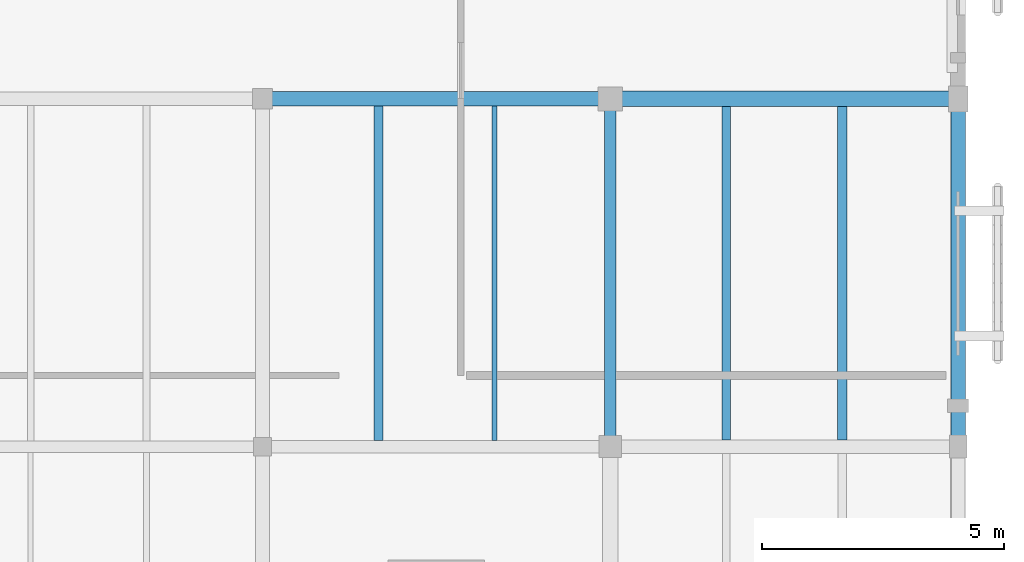
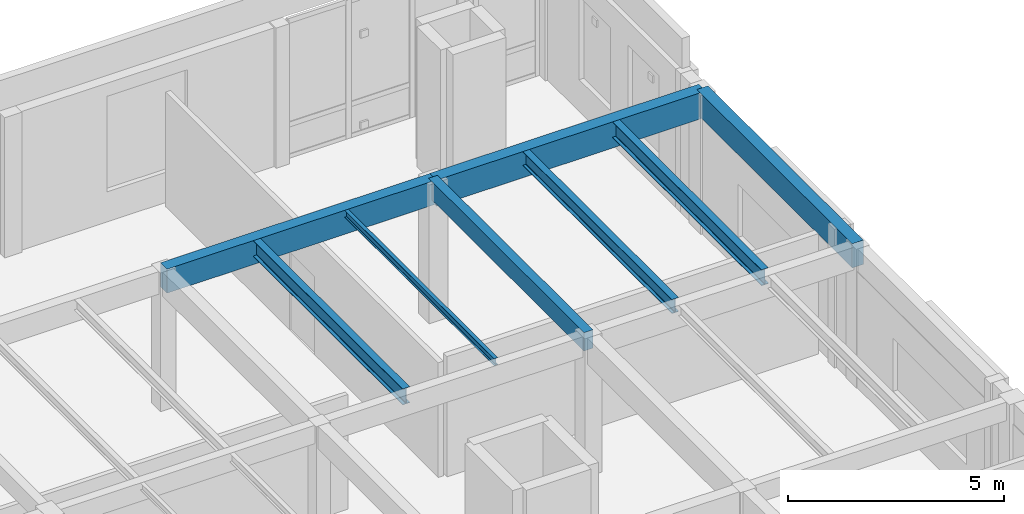
# One storey, part 159 of 217: 8 beams.
"""IFC4 building model written with IfcOpenShell, lengths in metres."""

from ifc_helpers import new_model, si_unit, direction, frame, origin, origin_2d, place, context, subcontext, project, spatial, rectangle, i_section, extrude, material, material_profile, profile_set, type_object, element, save


model = new_model("IFC4")

# Units and contexts
model_context = context("Model", 3, precision=1e-05, world=origin(), true_north=direction((0.0, 1.0)))
body_context = subcontext(model_context, "Body", "Model", "MODEL_VIEW")
ifc_project = project(units=[si_unit("LENGTHUNIT", "METRE"), si_unit("AREAUNIT", "SQUARE_METRE"), si_unit("VOLUMEUNIT", "CUBIC_METRE"), si_unit("PLANEANGLEUNIT", "RADIAN"), si_unit("MASSUNIT", "GRAM", prefix="KILO")], contexts=[model_context])

# Site, building, storey
site_placement = place(None, origin())
site = spatial("IfcSite", under=ifc_project, at=site_placement, CompositionType="ELEMENT")
building_placement = place(site_placement, origin())
building = spatial("IfcBuilding", under=site, at=building_placement, Name="Mazaris Harbour Polytechnic", CompositionType="ELEMENT")
storey_placement = place(building_placement, frame((0.0, 0.0, 9.60009765625)))
storey = spatial("IfcBuildingStorey", under=building, at=storey_placement, Name="L02", CompositionType="ELEMENT", Elevation=9.60009765625)

# Beams
ifc_material_1 = material(Name="Glulam GL32h", Category="wood")
ifc_material_profile_1 = material_profile(ifc_material_1, rectangle(XDim=0.239990234375, YDim=0.52001953125, at=origin_2d()), Name="RECT240x520")
ifc_profile_set_1 = profile_set([ifc_material_profile_1], Name="Glulam GL32h")
beam_type_1 = type_object("IfcBeamType", Name="Glulam Girder 240x520", PredefinedType="BEAM", material=ifc_profile_set_1)
beam_1_placement = place(storey_placement, frame((165.60009765625, 93.60009765625, 3.659912109375), z_axis=(0.0, 1.0, 0.0), x_axis=(-1.0, 0.0, 0.0)))
element("IfcBeam", 1, at=beam_1_placement, inside=storey, type_object=beam_type_1, Name="V5 L02 Tie Girder 3215", PredefinedType="BEAM", context=body_context, shape_type="SweptSolid", body=[
    extrude(rectangle(XDim=0.239990234375, YDim=0.52001953125, at=origin_2d()), origin(), (0.0, 0.0, 1.0), 7.199951171875),
])
ifc_material_2 = material(Name="Glulam GL32h", Category="wood")
ifc_material_profile_2 = material_profile(ifc_material_2, rectangle(XDim=0.300048828125, YDim=0.679931640625, at=origin_2d()), Name="RECT300x680")
ifc_profile_set_2 = profile_set([ifc_material_profile_2], Name="Glulam GL32h")
beam_type_2 = type_object("IfcBeamType", Name="Glulam Girder 300x680 Exterior", PredefinedType="BEAM", material=ifc_profile_set_2)
beam_2_placement = place(storey_placement, frame((158.39990234375, 100.800048828125, 3.579833984375), z_axis=(1.0, 0.0, 0.0), x_axis=(0.0, 1.0, 0.0)))
element("IfcBeam", 2, at=beam_2_placement, inside=storey, type_object=beam_type_2, Name="V5 L02 Girder 3168", PredefinedType="BEAM", context=body_context, shape_type="SweptSolid", body=[
    extrude(rectangle(XDim=0.300048828125, YDim=0.679931640625, at=origin_2d()), origin(), (0.0, 0.0, 1.0), 7.2001953125),
])
beam_3_placement = place(storey_placement, frame((172.800048828125, 93.60009765625, 3.579833984375), z_axis=(0.0, 1.0, 0.0), x_axis=(-1.0, 0.0, 0.0)))
element("IfcBeam", 3, at=beam_3_placement, inside=storey, type_object=beam_type_2, Name="V5 L02 Tie Girder 3223", PredefinedType="BEAM", context=body_context, shape_type="SweptSolid", body=[
    extrude(rectangle(XDim=0.300048828125, YDim=0.679931640625, at=origin_2d()), origin(), (0.0, 0.0, 1.0), 7.199951171875),
])
ifc_material_3 = material(Name="Glulam GL32h", Category="wood")
ifc_material_profile_3 = material_profile(ifc_material_3, rectangle(XDim=0.320068359375, YDim=0.739990234375, at=origin_2d()), Name="RECT320x740")
ifc_profile_set_3 = profile_set([ifc_material_profile_3], Name="Glulam GL32h")
beam_type_3 = type_object("IfcBeamType", Name="Glulam Girder 320x740 Exterior", PredefinedType="BEAM", material=ifc_profile_set_3)
beam_4_placement = place(storey_placement, frame((165.60009765625, 100.800048828125, 3.5498046875), z_axis=(1.0, 0.0, 0.0), x_axis=(0.0, 1.0, 0.0)))
element("IfcBeam", 4, at=beam_4_placement, inside=storey, type_object=beam_type_3, Name="V5 L02 Girder 3169", PredefinedType="BEAM", context=body_context, shape_type="SweptSolid", body=[
    extrude(rectangle(XDim=0.320068359375, YDim=0.739990234375, at=origin_2d()), origin(), (0.0, 0.0, 1.0), 7.199951171875),
])
ifc_material_4 = material(Name="Steel S355", Category="steel")
ifc_material_profile_4 = material_profile(ifc_material_4, i_section(OverallWidth=0.10009765625, OverallDepth=0.199951171875, WebThickness=0.005615234375, FlangeThickness=0.008544921875, FilletRadius=0.011962890625, at=origin_2d()), Name="IPE 200")
ifc_profile_set_4 = profile_set([ifc_material_profile_4], Name="Steel S355")
beam_type_4 = type_object("IfcBeamType", Name="Steel Joist IPE200", PredefinedType="JOIST", material=ifc_profile_set_4)
beam_5_placement = place(storey_placement, frame((163.199951171875, 93.72998046875, 3.81982421875), z_axis=(0.0, 1.0, 0.0), x_axis=(-1.0, 0.0, 0.0)))
element("IfcBeam", 5, at=beam_5_placement, inside=storey, type_object=beam_type_4, Name="V5 L02 Floor Joist 3283", PredefinedType="JOIST", context=body_context, shape_type="SweptSolid", body=[
    extrude(i_section(OverallWidth=0.10009765625, OverallDepth=0.199951171875, WebThickness=0.005615234375, FlangeThickness=0.008544921875, FilletRadius=0.011962890625, at=origin_2d()), origin(), (0.0, 0.0, 1.0), 6.919921875),
])
ifc_material_5 = material(Name="Steel S355", Category="steel")
ifc_material_profile_5 = material_profile(ifc_material_5, i_section(OverallWidth=0.179931640625, OverallDepth=0.39990234375, WebThickness=0.008544921875, FlangeThickness=0.013427734375, FilletRadius=0.02099609375, at=origin_2d()), Name="IPE 400")
ifc_profile_set_5 = profile_set([ifc_material_profile_5], Name="Steel S355")
beam_type_5 = type_object("IfcBeamType", Name="Steel Joist IPE400", PredefinedType="JOIST", material=ifc_profile_set_5)
beam_6_placement = place(storey_placement, frame((168.0, 93.739990234375, 3.719970703125), z_axis=(0.0, 1.0, 0.0), x_axis=(-1.0, 0.0, 0.0)))
element("IfcBeam", 6, at=beam_6_placement, inside=storey, type_object=beam_type_5, Name="V5 L02 Floor Joist 3295", PredefinedType="JOIST", context=body_context, shape_type="SweptSolid", body=[
    extrude(i_section(OverallWidth=0.179931640625, OverallDepth=0.39990234375, WebThickness=0.008544921875, FlangeThickness=0.013427734375, FilletRadius=0.02099609375, at=origin_2d()), origin(), (0.0, 0.0, 1.0), 6.89990234375),
])
ifc_material_6 = material(Name="Steel S355", Category="steel")
ifc_material_profile_6 = material_profile(ifc_material_6, i_section(OverallWidth=0.18994140625, OverallDepth=0.449951171875, WebThickness=0.009521484375, FlangeThickness=0.0146484375, FilletRadius=0.02099609375, at=origin_2d()), Name="IPE 450")
ifc_profile_set_6 = profile_set([ifc_material_profile_6], Name="Steel S355")
beam_type_6 = type_object("IfcBeamType", Name="Steel Joist IPE450", PredefinedType="JOIST", material=ifc_profile_set_6)
beam_7_placement = place(storey_placement, frame((160.800048828125, 93.72998046875, 3.69482421875), z_axis=(0.0, 1.0, 0.0), x_axis=(-1.0, 0.0, 0.0)))
element("IfcBeam", 7, at=beam_7_placement, inside=storey, type_object=beam_type_6, Name="V5 L02 Floor Joist 3282", PredefinedType="JOIST", context=body_context, shape_type="SweptSolid", body=[
    extrude(i_section(OverallWidth=0.18994140625, OverallDepth=0.449951171875, WebThickness=0.009521484375, FlangeThickness=0.0146484375, FilletRadius=0.02099609375, at=origin_2d()), origin(), (0.0, 0.0, 1.0), 6.919921875),
])
beam_8_placement = place(storey_placement, frame((170.39990234375, 93.739990234375, 3.69482421875), z_axis=(0.0, 1.0, 0.0), x_axis=(-1.0, 0.0, 0.0)))
element("IfcBeam", 8, at=beam_8_placement, inside=storey, type_object=beam_type_6, Name="V5 L02 Floor Joist 3296", PredefinedType="JOIST", context=body_context, shape_type="SweptSolid", body=[
    extrude(i_section(OverallWidth=0.18994140625, OverallDepth=0.449951171875, WebThickness=0.009521484375, FlangeThickness=0.0146484375, FilletRadius=0.02099609375, at=origin_2d()), origin(), (0.0, 0.0, 1.0), 6.89990234375),
])

save(model, "model.ifc")
